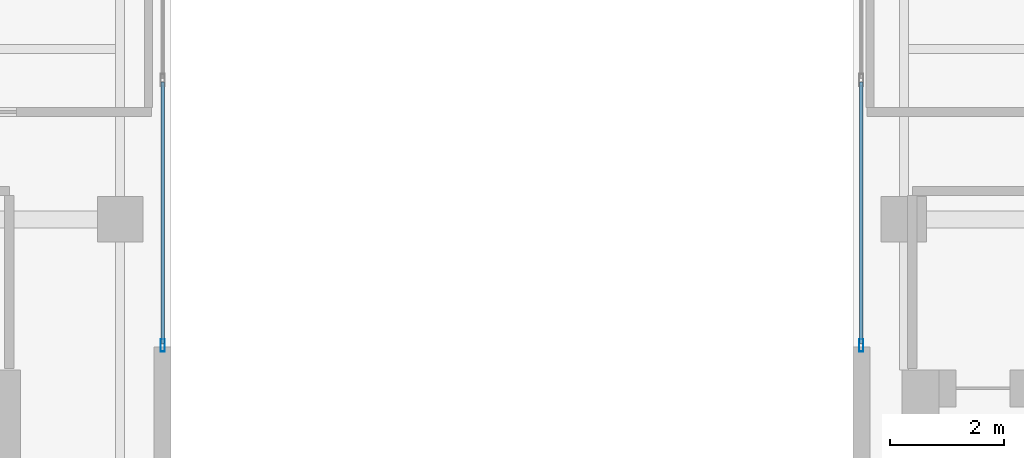
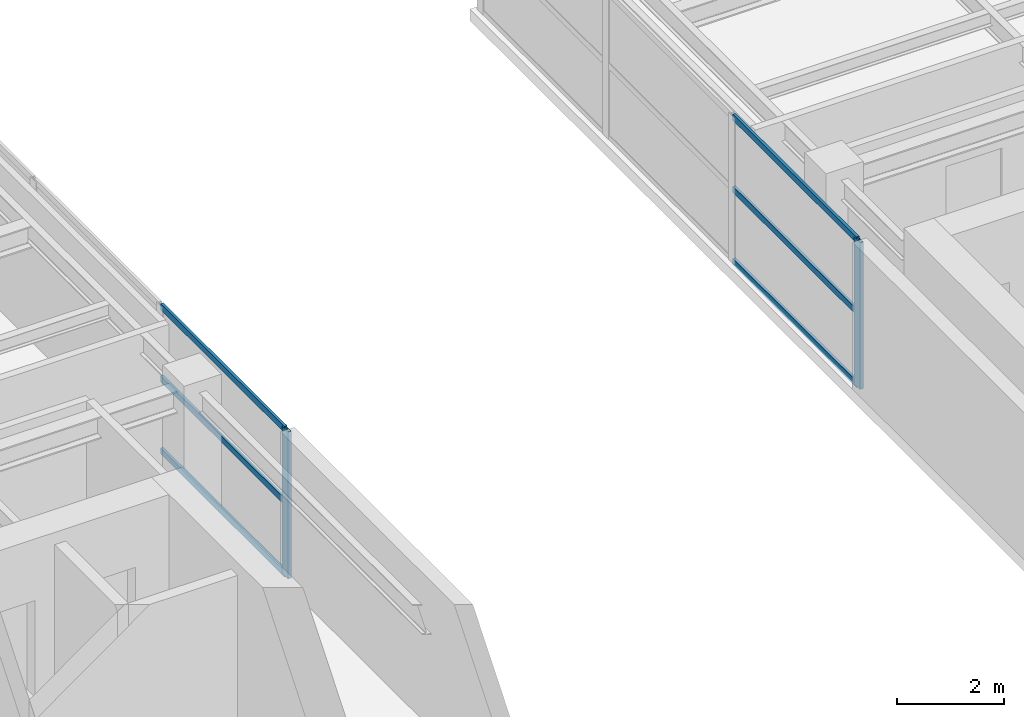
# One storey, part 9 of 20: 8 members, 2 elements without a shape of their own.
"""IFC4 building model written with IfcOpenShell, lengths in metres."""

from ifc_helpers import new_model, si_unit, direction, frame, origin, origin_2d, place, context, subcontext, project, spatial, hollow_rectangle, extrude, source, transform, mapped, material, layer, layer_set, material_profile, profile_set, type_object, element, aggregate, save


model = new_model("IFC4")

# Units and contexts
model_context = context("Model", 3, precision=1e-05, world=origin(), true_north=direction((0.0, 1.0)))
body_context = subcontext(model_context, "Body", "Model", "MODEL_VIEW")
ifc_project = project(units=[si_unit("LENGTHUNIT", "METRE"), si_unit("AREAUNIT", "SQUARE_METRE"), si_unit("VOLUMEUNIT", "CUBIC_METRE"), si_unit("PLANEANGLEUNIT", "RADIAN"), si_unit("MASSUNIT", "GRAM", prefix="KILO")], contexts=[model_context])

# Site, building, storey
site_placement = place(None, origin())
site = spatial("IfcSite", under=ifc_project, at=site_placement, CompositionType="ELEMENT")
building_placement = place(site_placement, origin())
building = spatial("IfcBuilding", under=site, at=building_placement, Name="Khoralis Quay Care Tower", CompositionType="ELEMENT")
storey_placement = place(building_placement, frame((0.0, 0.0, 198.89990234375)))
storey = spatial("IfcBuildingStorey", under=building, at=storey_placement, Name="L52", CompositionType="ELEMENT", Elevation=198.89990234375)

# Curtain wall, member
ifc_material = material(Name="Pale anodised aluminium", Category="aluminium")
ifc_layer = layer(ifc_material, 0.18994140625)
ifc_layer_set = layer_set([ifc_layer], Name="Pale anodised aluminium")
curtain_wall_type = type_object("IfcCurtainWallType", Name="CW-SYS-PORTAL", PredefinedType="NOTDEFINED", material=ifc_layer_set)
curtain_wall_1_placement = place(storey_placement, origin())
curtain_wall_1 = element("IfcCurtainWall", 1, at=curtain_wall_1_placement, inside=storey, type_object=curtain_wall_type, Name="L52 Unitised Curtain Wall CW-VP-L52-P1-N", PredefinedType="NOTDEFINED")
ifc_material_profile_1 = material_profile(ifc_material, hollow_rectangle(XDim=0.074951171875, YDim=0.219970703125, WallThickness=0.00390625, at=origin_2d()), Name="Pale anodised aluminium")
ifc_profile_set_1 = profile_set([ifc_material_profile_1], Name="Pale anodised aluminium")
member_type_1 = type_object("IfcMemberType", Name="CW-MUL-220", PredefinedType="MULLION", material=ifc_profile_set_1)
shared_shape_1 = source(origin(), body_context, "Body", "SweptSolid", [
    extrude(hollow_rectangle(XDim=0.074951171875, YDim=0.219970703125, WallThickness=0.00390625, at=origin_2d()), origin(), (0.0, 0.0, 1.0), 3.340087890625),
])
member_1_placement = place(storey_placement, frame((17.85009765625, 27.780029296875, 0.0), z_axis=(0.0, 0.0, 1.0), x_axis=(-1.0, 0.0, 0.0)))
member_1 = element("IfcMember", 2, at=member_1_placement, type_object=member_type_1, Name="CW4 mullion 1", PredefinedType="MULLION", context=body_context, shape_type="MappedRepresentation", body=[
    mapped(shared_shape_1, transform((0.0, 0.0, 0.0), scale=1.0)),
])

curtain_wall_2_placement = place(storey_placement, origin())
curtain_wall_2 = element("IfcCurtainWall", 3, at=curtain_wall_2_placement, inside=storey, type_object=curtain_wall_type, Name="L52 Unitised Curtain Wall CW-VP-L52-P2-N", PredefinedType="NOTDEFINED")
member_2_placement = place(storey_placement, frame((30.14990234375, 27.780029296875, 0.0), z_axis=(0.0, 0.0, 1.0), x_axis=(-1.0, 0.0, 0.0)))
member_2 = element("IfcMember", 4, at=member_2_placement, type_object=member_type_1, Name="CW4 mullion 1", PredefinedType="MULLION", context=body_context, shape_type="MappedRepresentation", body=[
    mapped(shared_shape_1, transform((0.0, 0.0, 0.0), scale=1.0)),
])

# Member
ifc_material_profile_2 = material_profile(ifc_material, hollow_rectangle(XDim=0.06005859375, YDim=0.139892578125, WallThickness=0.00390625, at=origin_2d()), Name="Pale anodised aluminium")
ifc_profile_set_2 = profile_set([ifc_material_profile_2], Name="Pale anodised aluminium")
member_type_2 = type_object("IfcMemberType", Name="CW-TRN-140", PredefinedType="USERDEFINED", material=ifc_profile_set_2)
shared_shape_2 = source(origin(), body_context, "Body", "SweptSolid", [
    extrude(hollow_rectangle(XDim=0.06005859375, YDim=0.139892578125, WallThickness=0.00390625, at=origin_2d()), origin(), (0.0, 0.0, 1.0), 4.60986328125),
])
member_3_placement = place(storey_placement, frame((17.85009765625, 27.81005859375, 0.030029296875), z_axis=(0.0, 1.0, 0.0), x_axis=(-1.0, 0.0, 0.0)))
member_3 = element("IfcMember", 5, at=member_3_placement, type_object=member_type_2, Name="CW4 transom 1.1", ObjectType="TRANSOM", PredefinedType="USERDEFINED", context=body_context, shape_type="MappedRepresentation", body=[
    mapped(shared_shape_2, transform((0.0, 0.0, 0.0), scale=1.0)),
])

member_4_placement = place(storey_placement, frame((17.85009765625, 27.81005859375, 1.670166015625), z_axis=(0.0, 1.0, 0.0), x_axis=(-1.0, 0.0, 0.0)))
member_4 = element("IfcMember", 6, at=member_4_placement, type_object=member_type_2, Name="CW4 transom 1.2", ObjectType="TRANSOM", PredefinedType="USERDEFINED", context=body_context, shape_type="MappedRepresentation", body=[
    mapped(shared_shape_2, transform((0.0, 0.0, 0.0), scale=1.0)),
])

member_5_placement = place(storey_placement, frame((17.85009765625, 27.81005859375, 3.31005859375), z_axis=(0.0, 1.0, 0.0), x_axis=(-1.0, 0.0, 0.0)))
member_5 = element("IfcMember", 7, at=member_5_placement, type_object=member_type_2, Name="CW4 transom 1.3", ObjectType="TRANSOM", PredefinedType="USERDEFINED", context=body_context, shape_type="MappedRepresentation", body=[
    mapped(shared_shape_2, transform((0.0, 0.0, 0.0), scale=1.0)),
])

aggregate(curtain_wall_1, [member_1, member_3, member_4, member_5])

member_6_placement = place(storey_placement, frame((30.14990234375, 27.81005859375, 0.030029296875), z_axis=(0.0, 1.0, 0.0), x_axis=(-1.0, 0.0, 0.0)))
member_6 = element("IfcMember", 8, at=member_6_placement, type_object=member_type_2, Name="CW4 transom 1.1", ObjectType="TRANSOM", PredefinedType="USERDEFINED", context=body_context, shape_type="MappedRepresentation", body=[
    mapped(shared_shape_2, transform((0.0, 0.0, 0.0), scale=1.0)),
])

member_7_placement = place(storey_placement, frame((30.14990234375, 27.81005859375, 1.670166015625), z_axis=(0.0, 1.0, 0.0), x_axis=(-1.0, 0.0, 0.0)))
member_7 = element("IfcMember", 9, at=member_7_placement, type_object=member_type_2, Name="CW4 transom 1.2", ObjectType="TRANSOM", PredefinedType="USERDEFINED", context=body_context, shape_type="MappedRepresentation", body=[
    mapped(shared_shape_2, transform((0.0, 0.0, 0.0), scale=1.0)),
])

member_8_placement = place(storey_placement, frame((30.14990234375, 27.81005859375, 3.31005859375), z_axis=(0.0, 1.0, 0.0), x_axis=(-1.0, 0.0, 0.0)))
member_8 = element("IfcMember", 10, at=member_8_placement, type_object=member_type_2, Name="CW4 transom 1.3", ObjectType="TRANSOM", PredefinedType="USERDEFINED", context=body_context, shape_type="MappedRepresentation", body=[
    mapped(shared_shape_2, transform((0.0, 0.0, 0.0), scale=1.0)),
])

aggregate(curtain_wall_2, [member_2, member_6, member_7, member_8])

save(model, "model.ifc")
